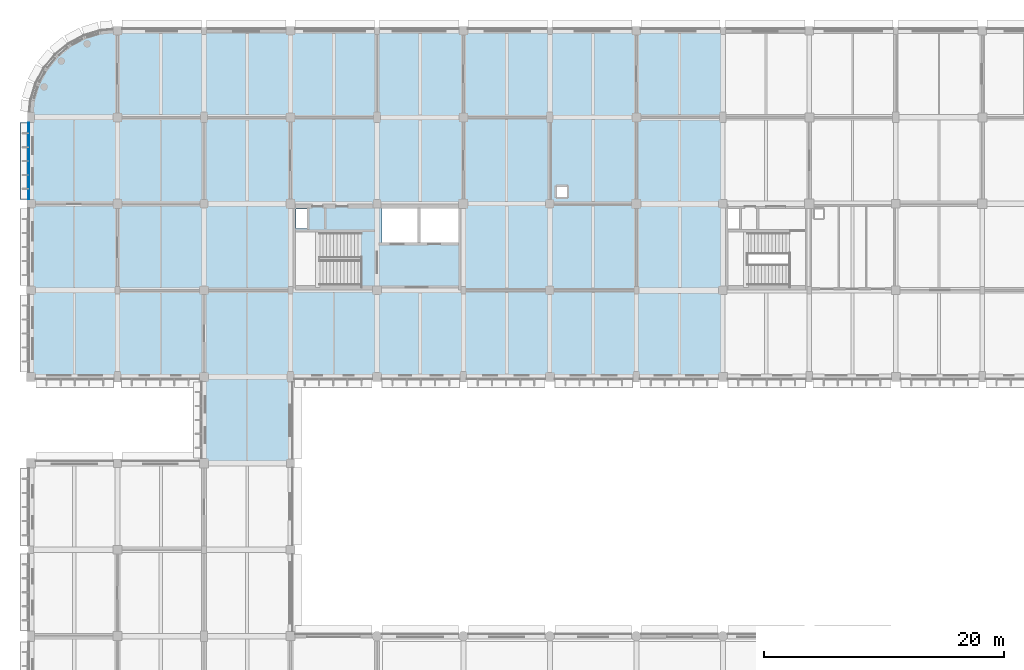
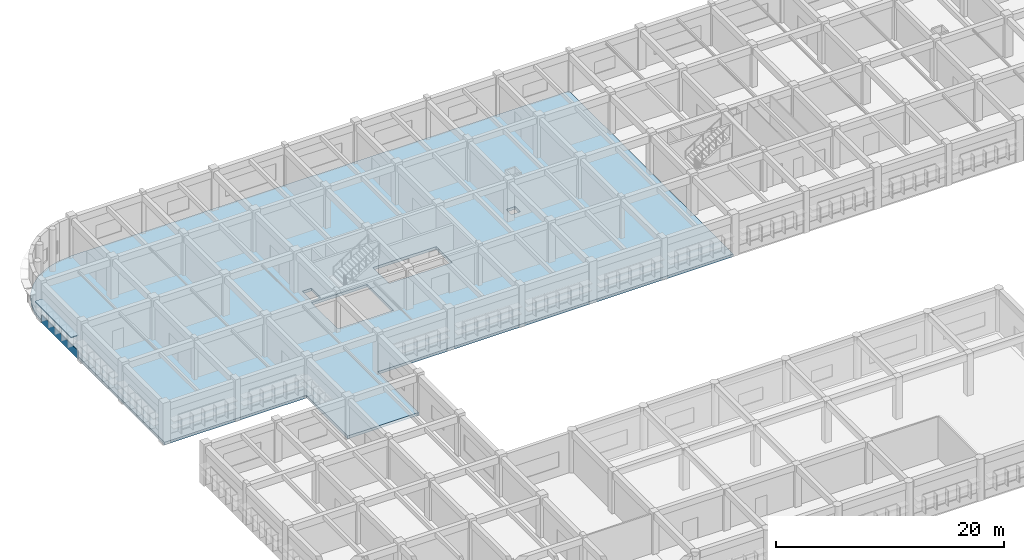
# One storey, part 26 of 61: 2 plates, 1 slab.
"""IFC4 building model written with IfcOpenShell, lengths in metres."""

from ifc_helpers import new_model, si_unit, direction, frame, origin, origin_2d, place, context, subcontext, project, spatial, polyline, rectangle, outline, extrude, material, layer, layer_set, type_object, element, save


model = new_model("IFC4")

# Units and contexts
model_context = context("Model", 3, precision=1e-05, world=origin(), true_north=direction((0.0, 1.0)))
body_context = subcontext(model_context, "Body", "Model", "MODEL_VIEW")
ifc_project = project(units=[si_unit("LENGTHUNIT", "METRE"), si_unit("AREAUNIT", "SQUARE_METRE"), si_unit("VOLUMEUNIT", "CUBIC_METRE"), si_unit("PLANEANGLEUNIT", "RADIAN"), si_unit("MASSUNIT", "GRAM", prefix="KILO")], contexts=[model_context])

# Site, building, storey
site_placement = place(None, origin())
site = spatial("IfcSite", under=ifc_project, at=site_placement, CompositionType="ELEMENT")
building_placement = place(site_placement, origin())
building = spatial("IfcBuilding", under=site, at=building_placement, Name="Thalmaran Polytechnic", CompositionType="ELEMENT")
storey_placement = place(building_placement, frame((0.0, 0.0, 9.89990234375)))
storey = spatial("IfcBuildingStorey", under=building, at=storey_placement, Name="L02", CompositionType="ELEMENT", Elevation=9.89990234375)

# Plates
ifc_material_1 = material(Name="Anodised aluminium spandrel band", Category="aluminium")
ifc_layer_1 = layer(ifc_material_1, 0.054931640625, Name="Anodised aluminium spandrel band")
ifc_layer_set_1 = layer_set([ifc_layer_1], Name="Anodised aluminium spandrel band")
plate_type_1 = type_object("IfcPlateType", Name="PT-BD01", PredefinedType="SHEET", material=ifc_layer_set_1)
plate_1_placement = place(storey_placement, frame((-0.195068359375, 111.5625, 0.020263671875), z_axis=(0.0, 0.0, 1.0), x_axis=(0.0, 1.0, 0.0)))
element("IfcPlate", 1, at=plate_1_placement, inside=storey, type_object=plate_type_1, Name="Streamline Horizontal Spandrel Band L02-020", PredefinedType="SHEET", context=body_context, shape_type="SweptSolid", body=[
    extrude(rectangle(XDim=6.385009765625, YDim=0.054931640625, at=origin_2d()), origin(), (0.0, 0.0, 1.0), 0.8798828125),
])
ifc_material_2 = material(Name="Anodised aluminium sun-hood eyebrow", Category="aluminium")
ifc_layer_2 = layer(ifc_material_2, 0.0849609375, Name="Anodised aluminium sun-hood eyebrow")
ifc_layer_set_2 = layer_set([ifc_layer_2], Name="Anodised aluminium sun-hood eyebrow")
plate_type_2 = type_object("IfcPlateType", Name="PT-EB01", PredefinedType="SHEET", material=ifc_layer_set_2)
plate_2_placement = place(storey_placement, frame((-0.5400390625, 111.5625, 2.517578125), z_axis=(0.0, 0.0, 1.0), x_axis=(0.0, 1.0, 0.0)))
element("IfcPlate", 2, at=plate_2_placement, inside=storey, type_object=plate_type_2, Name="Streamline Sun-Hood Eyebrow L02-020", PredefinedType="SHEET", context=body_context, shape_type="SweptSolid", body=[
    extrude(rectangle(XDim=6.385009765625, YDim=0.760009765625, at=origin_2d()), origin(), (0.0, 0.0, 1.0), 0.0849609375),
])

# Slab
ifc_material_3 = material(Name="Concrete C40/50", Category="concrete")
ifc_layer_3 = layer(ifc_material_3, 0.2900390625, Name="Concrete C40/50")
ifc_layer_set_3 = layer_set([ifc_layer_3], Name="Concrete C40/50")
slab_type = type_object("IfcSlabType", Name="SL-FL04", PredefinedType="FLOOR", material=ifc_layer_set_3)
slab_placement = place(storey_placement, frame((0.0, 0.0, -0.289794921875)))
element("IfcSlab", 3, at=slab_placement, inside=storey, type_object=slab_type, Name="V2W L02 Structural Slab", PredefinedType="FLOOR", context=body_context, shape_type="SweptSolid", body=[
    extrude(outline(polyline([(0.138427734375, 116.604736328125), (0.548095703125, 117.955322265625), (1.21337890625, 119.2001953125), (2.10888671875, 120.291259765625), (3.199951171875, 121.1865234375), (4.444580078125, 121.85205078125), (5.79541015625, 122.26171875), (7.199951171875, 122.39990234375), (14.39990234375, 122.39990234375), (21.60009765625, 122.39990234375), (28.800048828125, 122.39990234375), (36.0, 122.39990234375), (43.199951171875, 122.39990234375), (50.39990234375, 122.39990234375), (57.60009765625, 122.39990234375), (57.60009765625, 115.199951171875), (57.60009765625, 108.0), (57.60009765625, 100.800048828125), (57.60009765625, 93.60009765625), (50.39990234375, 93.60009765625), (43.199951171875, 93.60009765625), (36.0, 93.60009765625), (28.800048828125, 93.60009765625), (21.60009765625, 93.60009765625), (21.60009765625, 86.39990234375), (14.39990234375, 86.39990234375), (14.39990234375, 93.60009765625), (7.199951171875, 93.60009765625), (0.0, 93.60009765625), (0.0, 100.800048828125), (0.0, 108.0), (0.0, 115.199951171875), (0.138427734375, 116.604736328125)]), holes=[polyline([(44.64990234375, 109.449951171875), (43.75, 109.449951171875), (43.75, 108.550048828125), (44.64990234375, 108.550048828125), (44.64990234375, 109.449951171875)]), polyline([(29.199951171875, 107.60009765625), (29.199951171875, 104.800048828125), (35.60009765625, 104.800048828125), (35.60009765625, 107.60009765625), (29.199951171875, 107.60009765625)]), polyline([(27.47998046875, 101.050048828125), (27.47998046875, 105.639892578125), (21.85009765625, 105.639892578125), (21.85009765625, 101.050048828125), (27.47998046875, 101.050048828125)]), polyline([(22.0400390625, 105.93994140625), (22.9599609375, 105.93994140625), (22.9599609375, 107.56005859375), (22.0400390625, 107.56005859375), (22.0400390625, 105.93994140625)])]), origin(), (0.0, 0.0, 1.0), 0.289794921875),
])

save(model, "model.ifc")
